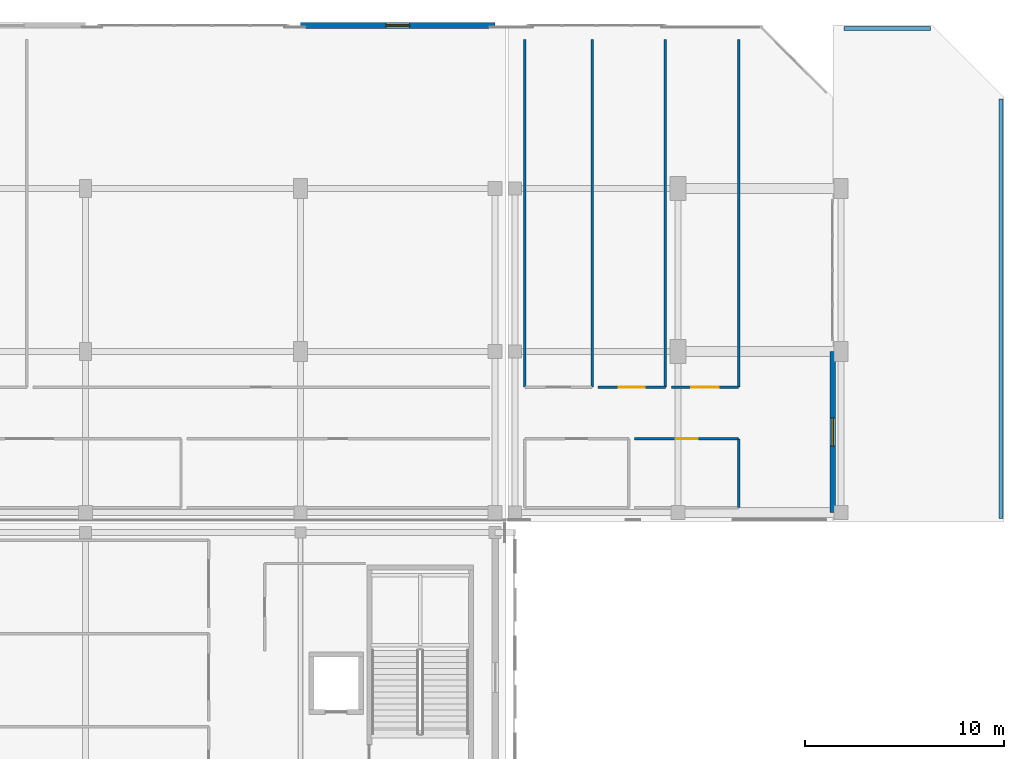
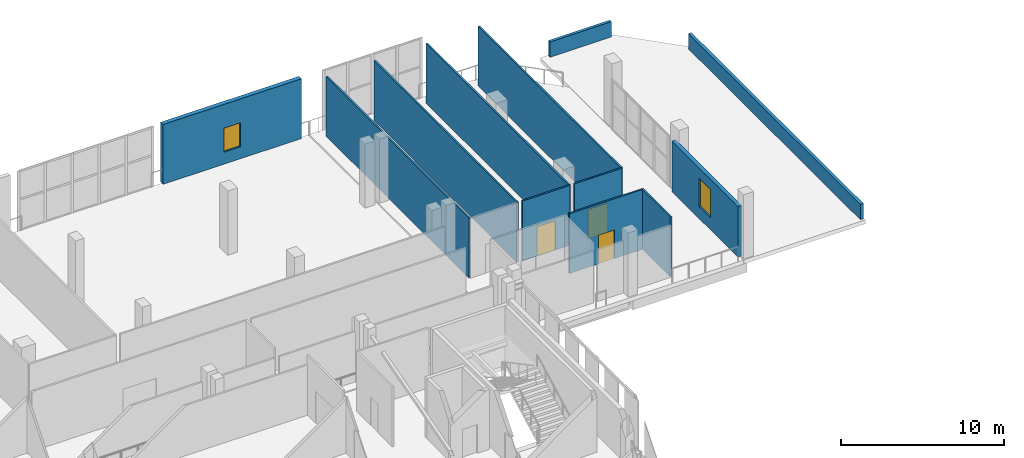
# One storey, part 105 of 142: 12 walls, 3 doors, 2 windows, 5 openings.
"""IFC4 building model written with IfcOpenShell, lengths in metres."""

from ifc_helpers import new_model, si_unit, direction, frame, frame_2d, origin, place, context, subcontext, project, spatial, rectangle, extrude, material, layer, layer_set, type_object, element, fill, save


model = new_model("IFC4")

# Units and contexts
model_context = context("Model", 3, precision=1e-05, world=origin(), true_north=direction((0.0, 1.0)))
body_context = subcontext(model_context, "Body", "Model", "MODEL_VIEW")
ifc_project = project(units=[si_unit("LENGTHUNIT", "METRE"), si_unit("AREAUNIT", "SQUARE_METRE"), si_unit("VOLUMEUNIT", "CUBIC_METRE"), si_unit("PLANEANGLEUNIT", "RADIAN"), si_unit("MASSUNIT", "GRAM", prefix="KILO")], contexts=[model_context])

# Site, building, storey
site_placement = place(None, origin())
site = spatial("IfcSite", under=ifc_project, at=site_placement, CompositionType="ELEMENT")
building_placement = place(site_placement, origin())
building = spatial("IfcBuilding", under=site, at=building_placement, Name="Koshinbarg Plaza Stadium", CompositionType="ELEMENT")
storey_placement = place(building_placement, frame((0.0, 0.0, 10.199951171875)))
storey = spatial("IfcBuildingStorey", under=building, at=storey_placement, Name="L02", CompositionType="ELEMENT", Elevation=10.199951171875)

# Wall, opening, window
ifc_material_1 = material(Name="Terracotta-ochre mineral plaster insulated wall", Category="masonry")
ifc_layer_1 = layer(ifc_material_1, 0.280029296875)
ifc_layer_set_1 = layer_set([ifc_layer_1], Name="Terracotta-ochre mineral plaster insulated wall")
wall_type_1 = type_object("IfcWallType", Name="WL-EXT-280", PredefinedType="SOLIDWALL", material=ifc_layer_set_1)
wall_1_placement = place(storey_placement, frame((235.3798828125, 135.60009765625, 0.0), z_axis=(0.0, 0.0, 1.0), x_axis=(0.0, -1.0, 0.0)))
wall_1 = element("IfcWall", 1, at=wall_1_placement, inside=storey, type_object=wall_type_1, Name="L02 exterior envelope wall EWL-L02-0132", PredefinedType="SOLIDWALL", context=body_context, shape_type="SweptSolid", body=[
    extrude(rectangle(XDim=8.10009765625, YDim=0.280029296875, at=frame_2d((4.050048828125, 0.0))), origin(), (0.0, 0.0, 1.0), 3.780029296875),
])
opening_1_placement = place(wall_1_placement, frame((3.35009765625, 0.0, 0.89990234375)))
opening_1 = element("IfcOpeningElement", 2, at=opening_1_placement, cuts=wall_1, Name="Opening WN13", PredefinedType="OPENING", context=body_context, shape_type="SweptSolid", body=[
    extrude(rectangle(XDim=1.39990234375, YDim=2.10009765625, at=frame_2d((0.699951171875, 1.050048828125))), frame((0.0, 0.14990234375, 0.0), z_axis=(0.0, -1.0, 0.0), x_axis=(1.0, 0.0, 0.0)), (0.0, 0.0, 1.0), 0.300048828125),
])
ifc_material_2 = material(Name="Solar-control double glazing in thermally broken aluminium frame", Category="aluminium")
window_type_1 = type_object("IfcWindowType", Name="WN-FAC-13", PartitioningType="DOUBLE_PANEL_VERTICAL", PredefinedType="WINDOW", material=ifc_material_2)
window_1_placement = place(opening_1_placement, origin())
window_1 = element("IfcWindow", 3, at=window_1_placement, inside=storey, type_object=window_type_1, Name="L02 facade window 0068", OverallHeight=2.10009765625, OverallWidth=1.39990234375, PartitioningType="SINGLE_PANEL", PredefinedType="WINDOW", context=body_context, shape_type="SweptSolid", body=[
    extrude(rectangle(XDim=1.39990234375, YDim=2.10009765625, at=frame_2d((0.699951171875, 1.050048828125))), frame((0.0, 0.030029296875, 0.0), z_axis=(0.0, -1.0, 0.0), x_axis=(1.0, 0.0, 0.0)), (0.0, 0.0, 1.0), 0.06005859375),
])
fill(opening_1, window_1)

ifc_material_3 = material(Name="Off-white mineral plaster insulated wall", Category="masonry")
ifc_layer_2 = layer(ifc_material_3, 0.300048828125)
ifc_layer_set_2 = layer_set([ifc_layer_2], Name="Off-white mineral plaster insulated wall")
wall_type_2 = type_object("IfcWallType", Name="WL-EXT-300", PredefinedType="SOLIDWALL", material=ifc_layer_set_2)
wall_2_placement = place(storey_placement, frame((208.60009765625, 152.0, 0.0), z_axis=(0.0, 0.0, 1.0), x_axis=(1.0, 0.0, 0.0)))
wall_2 = element("IfcWall", 4, at=wall_2_placement, inside=storey, type_object=wall_type_2, Name="L02 exterior envelope wall EWL-L02-0125", PredefinedType="SOLIDWALL", context=body_context, shape_type="SweptSolid", body=[
    extrude(rectangle(XDim=9.7998046875, YDim=0.300048828125, at=frame_2d((4.89990234375, 0.0))), origin(), (0.0, 0.0, 1.0), 4.47998046875),
])
opening_2_placement = place(wall_2_placement, frame((4.300048828125, 0.0, 0.89990234375)))
opening_2 = element("IfcOpeningElement", 5, at=opening_2_placement, cuts=wall_2, Name="Opening WN07", PredefinedType="OPENING", context=body_context, shape_type="SweptSolid", body=[
    extrude(rectangle(XDim=1.199951171875, YDim=1.800048828125, at=frame_2d((0.60009765625, 0.89990234375))), frame((0.0, 0.159912109375, 0.0), z_axis=(0.0, -1.0, 0.0), x_axis=(1.0, 0.0, 0.0)), (0.0, 0.0, 1.0), 0.320068359375),
])
window_type_2 = type_object("IfcWindowType", Name="WN-FAC-07", PartitioningType="DOUBLE_PANEL_VERTICAL", PredefinedType="WINDOW", material=ifc_material_2)
window_2_placement = place(opening_2_placement, origin())
window_2 = element("IfcWindow", 6, at=window_2_placement, inside=storey, type_object=window_type_2, Name="L02 facade window 0062", OverallHeight=1.800048828125, OverallWidth=1.199951171875, PartitioningType="SINGLE_PANEL", PredefinedType="WINDOW", context=body_context, shape_type="SweptSolid", body=[
    extrude(rectangle(XDim=1.199951171875, YDim=1.800048828125, at=frame_2d((0.60009765625, 0.89990234375))), frame((0.0, 0.030029296875, 0.0), z_axis=(0.0, -1.0, 0.0), x_axis=(1.0, 0.0, 0.0)), (0.0, 0.0, 1.0), 0.06005859375),
])
fill(opening_2, window_2)

# Walls
ifc_material_4 = material(Name="Precast concrete C40/50", Category="concrete")
ifc_layer_3 = layer(ifc_material_4, 0.199951171875)
ifc_layer_set_3 = layer_set([ifc_layer_3], Name="Precast concrete C40/50")
wall_type_3 = type_object("IfcWallType", Name="WL-PAR-200", PredefinedType="PARAPET", material=ifc_layer_set_3)
wall_3_placement = place(storey_placement, frame((235.949951171875, 151.85009765625, 0.0), z_axis=(0.0, 0.0, 1.0), x_axis=(1.0, 0.0, 0.0)))
element("IfcWall", 7, at=wall_3_placement, inside=storey, type_object=wall_type_3, Name="L02 stepped pavilion roof parapet 036", PredefinedType="PARAPET", context=body_context, shape_type="SweptSolid", body=[
    extrude(rectangle(XDim=4.35009765625, YDim=0.199951171875, at=frame_2d((2.175048828125, 0.0))), origin(), (0.0, 0.0, 1.0), 1.150146484375),
])
ifc_layer_4 = layer(ifc_material_4, 0.219970703125)
ifc_layer_set_4 = layer_set([ifc_layer_4], Name="Precast concrete C40/50")
wall_type_4 = type_object("IfcWallType", Name="WL-PAR-220", PredefinedType="PARAPET", material=ifc_layer_set_4)
wall_4_placement = place(storey_placement, frame((243.85009765625, 148.300048828125, 0.0), z_axis=(0.0, 0.0, 1.0), x_axis=(0.0, -1.0, 0.0)))
element("IfcWall", 8, at=wall_4_placement, inside=storey, type_object=wall_type_4, Name="L02 stepped pavilion roof parapet 037", PredefinedType="PARAPET", context=body_context, shape_type="SweptSolid", body=[
    extrude(rectangle(XDim=21.10009765625, YDim=0.219970703125, at=frame_2d((10.550048828125, 0.0))), origin(), (0.0, 0.0, 1.0), 1.150146484375),
])
ifc_material_5 = material(Name="Gypsum board metal-stud acoustic partition")
ifc_layer_5 = layer(ifc_material_5, 0.1201171875)
ifc_layer_set_5 = layer_set([ifc_layer_5], Name="Gypsum board metal-stud acoustic partition")
wall_type_5 = type_object("IfcWallType", Name="WL-PART-120", PredefinedType="PARTITIONING", material=ifc_layer_set_5)
wall_5_placement = place(storey_placement, frame((230.64990234375, 127.7451171875, 0.0), z_axis=(0.0, 0.0, 1.0), x_axis=(0.0, 1.0, 0.0)))
element("IfcWall", 9, at=wall_5_placement, inside=storey, type_object=wall_type_5, Name="L02 interior partition L02-123-east IWL-L02-1800", PredefinedType="PARTITIONING", context=body_context, shape_type="SweptSolid", body=[
    extrude(rectangle(XDim=3.454833984375, YDim=0.1201171875, at=frame_2d((1.7275390625, 0.0))), origin(), (0.0, 0.0, 1.0), 4.47998046875),
])

# Wall, opening, door
wall_6_placement = place(storey_placement, frame((230.64990234375, 131.199951171875, 0.0), z_axis=(0.0, 0.0, 1.0), x_axis=(-1.0, 0.0, 0.0)))
wall_6 = element("IfcWall", 10, at=wall_6_placement, inside=storey, type_object=wall_type_5, Name="L02 interior partition L02-123-north IWL-L02-1801", PredefinedType="PARTITIONING", context=body_context, shape_type="SweptSolid", body=[
    extrude(rectangle(XDim=5.227294921875, YDim=0.1201171875, at=frame_2d((2.61376953125, 0.0))), origin(), (0.0, 0.0, 1.0), 4.47998046875),
])
opening_3_placement = place(wall_6_placement, frame((2.0537109375, 0.0, 0.0)))
opening_3 = element("IfcOpeningElement", 11, at=opening_3_placement, cuts=wall_6, Name="Opening D-0610", PredefinedType="OPENING", context=body_context, shape_type="SweptSolid", body=[
    extrude(rectangle(XDim=1.1201171875, YDim=2.14990234375, at=frame_2d((0.56005859375, 1.074951171875))), frame((0.0, 0.070068359375, 0.0), z_axis=(0.0, -1.0, 0.0), x_axis=(1.0, 0.0, 0.0)), (0.0, 0.0, 1.0), 0.14013671875),
])
ifc_material_6 = material(Name="Acoustic timber broadcast studio door", Category="wood")
door_type_1 = type_object("IfcDoorType", Name="DR-INT-1120x2150", OperationType="NOTDEFINED", PredefinedType="DOOR", material=ifc_material_6)
door_1_placement = place(opening_3_placement, origin())
door_1 = element("IfcDoor", 12, at=door_1_placement, inside=storey, type_object=door_type_1, Name="L02 North Club Lounge door D-0610", OperationType="SINGLE_SWING_RIGHT", OverallHeight=2.14990234375, OverallWidth=1.1201171875, PredefinedType="DOOR", context=body_context, shape_type="SweptSolid", body=[
    extrude(rectangle(XDim=1.1201171875, YDim=2.14990234375, at=frame_2d((0.56005859375, 1.074951171875))), frame((0.0, 0.02490234375, 0.0), z_axis=(0.0, -1.0, 0.0), x_axis=(1.0, 0.0, 0.0)), (0.0, 0.0, 1.0), 0.050048828125),
])
fill(opening_3, door_1)

# Walls
for number, where, z_axis, x_axis, name in (
    (13, (223.280029296875, 133.800048828125, 0.0), (0.0, 0.0, 1.0), (0.0, 1.0, 0.0), "L02 interior partition L02-124-east IWL-L02-1803"),
    (14, (219.89501953125, 151.300048828125, 0.0), (0.0, 0.0, 1.0), (0.0, -1.0, 0.0), "L02 interior partition L02-124-west IWL-L02-1804"),
):
    element("IfcWall", number, at=place(storey_placement, frame(where, z_axis=z_axis, x_axis=x_axis)), inside=storey, type_object=wall_type_5, Name=name, PredefinedType="PARTITIONING", context=body_context, shape_type="SweptSolid", body=[
        extrude(rectangle(XDim=17.5, YDim=0.1201171875, at=frame_2d((8.75, 0.0))), origin(), (0.0, 0.0, 1.0), 4.47998046875),
    ])

# Wall, opening, door
wall_7_placement = place(storey_placement, frame((223.580078125, 133.800048828125, 0.0), z_axis=(0.0, 0.0, 1.0), x_axis=(1.0, 0.0, 0.0)))
wall_7 = element("IfcWall", 15, at=wall_7_placement, inside=storey, type_object=wall_type_5, Name="L02 interior partition L02-125-south IWL-L02-1805", PredefinedType="PARTITIONING", context=body_context, shape_type="SweptSolid", body=[
    extrude(rectangle(XDim=3.385009765625, YDim=0.1201171875, at=frame_2d((1.6923828125, 0.0))), origin(), (0.0, 0.0, 1.0), 4.47998046875),
])
opening_4_placement = place(wall_7_placement, frame((1.04248046875, 0.0, 0.0)))
opening_4 = element("IfcOpeningElement", 16, at=opening_4_placement, cuts=wall_7, Name="Opening D-0612", PredefinedType="OPENING", context=body_context, shape_type="SweptSolid", body=[
    extrude(rectangle(XDim=1.300048828125, YDim=2.199951171875, at=frame_2d((0.64990234375, 1.10009765625))), frame((0.0, 0.070068359375, 0.0), z_axis=(0.0, -1.0, 0.0), x_axis=(1.0, 0.0, 0.0)), (0.0, 0.0, 1.0), 0.14013671875),
])
ifc_material_7 = material(Name="Thermally broken anodised aluminium glazed door", Category="aluminium")
door_type_2 = type_object("IfcDoorType", Name="DR-INT-1300x2200", OperationType="NOTDEFINED", PredefinedType="DOOR", material=ifc_material_7)
door_2_placement = place(opening_4_placement, origin())
door_2 = element("IfcDoor", 17, at=door_2_placement, inside=storey, type_object=door_type_2, Name="L02 Museum Cafe Dining Hall door D-0612", OperationType="SINGLE_SWING_RIGHT", OverallHeight=2.199951171875, OverallWidth=1.300048828125, PredefinedType="DOOR", context=body_context, shape_type="SweptSolid", body=[
    extrude(rectangle(XDim=1.300048828125, YDim=2.199951171875, at=frame_2d((0.64990234375, 1.10009765625))), frame((0.0, 0.02490234375, 0.0), z_axis=(0.0, -1.0, 0.0), x_axis=(1.0, 0.0, 0.0)), (0.0, 0.0, 1.0), 0.050048828125),
])
fill(opening_4, door_2)

# Wall
wall_8_placement = place(storey_placement, frame((226.965087890625, 133.800048828125, 0.0), z_axis=(0.0, 0.0, 1.0), x_axis=(0.0, 1.0, 0.0)))
element("IfcWall", 18, at=wall_8_placement, inside=storey, type_object=wall_type_5, Name="L02 interior partition L02-125-east IWL-L02-1806", PredefinedType="PARTITIONING", context=body_context, shape_type="SweptSolid", body=[
    extrude(rectangle(XDim=17.5, YDim=0.1201171875, at=frame_2d((8.75, 0.0))), origin(), (0.0, 0.0, 1.0), 4.47998046875),
])

# Wall, opening, door
wall_9_placement = place(storey_placement, frame((227.264892578125, 133.800048828125, 0.0), z_axis=(0.0, 0.0, 1.0), x_axis=(1.0, 0.0, 0.0)))
wall_9 = element("IfcWall", 19, at=wall_9_placement, inside=storey, type_object=wall_type_5, Name="L02 interior partition L02-126-south IWL-L02-1807", PredefinedType="PARTITIONING", context=body_context, shape_type="SweptSolid", body=[
    extrude(rectangle(XDim=3.385009765625, YDim=0.1201171875, at=frame_2d((1.6923828125, 0.0))), origin(), (0.0, 0.0, 1.0), 4.47998046875),
])
opening_5_placement = place(wall_9_placement, frame((0.992431640625, 0.0, 0.0)))
opening_5 = element("IfcOpeningElement", 20, at=opening_5_placement, cuts=wall_9, Name="Opening D-0613", PredefinedType="OPENING", context=body_context, shape_type="SweptSolid", body=[
    extrude(rectangle(XDim=1.39990234375, YDim=2.199951171875, at=frame_2d((0.699951171875, 1.10009765625))), frame((0.0, 0.070068359375, 0.0), z_axis=(0.0, -1.0, 0.0), x_axis=(1.0, 0.0, 0.0)), (0.0, 0.0, 1.0), 0.14013671875),
])
ifc_material_8 = material(Name="Stainless-clad solid-core timber double fire door", Category="wood")
door_type_3 = type_object("IfcDoorType", Name="DR-INT-1400x2200", OperationType="NOTDEFINED", PredefinedType="DOOR", material=ifc_material_8)
door_3_placement = place(opening_5_placement, origin())
door_3 = element("IfcDoor", 21, at=door_3_placement, inside=storey, type_object=door_type_3, Name="L02 Olympic Medal Salon door D-0613", OperationType="DOUBLE_DOOR_SINGLE_SWING", OverallHeight=2.199951171875, OverallWidth=1.39990234375, PredefinedType="DOOR", context=body_context, shape_type="SweptSolid", body=[
    extrude(rectangle(XDim=1.39990234375, YDim=2.199951171875, at=frame_2d((0.699951171875, 1.10009765625))), frame((0.0, 0.02490234375, 0.0), z_axis=(0.0, -1.0, 0.0), x_axis=(1.0, 0.0, 0.0)), (0.0, 0.0, 1.0), 0.050048828125),
])
fill(opening_5, door_3)

# Wall
wall_10_placement = place(storey_placement, frame((230.64990234375, 133.800048828125, 0.0), z_axis=(0.0, 0.0, 1.0), x_axis=(0.0, 1.0, 0.0)))
element("IfcWall", 22, at=wall_10_placement, inside=storey, type_object=wall_type_5, Name="L02 interior partition L02-126-east IWL-L02-1808", PredefinedType="PARTITIONING", context=body_context, shape_type="SweptSolid", body=[
    extrude(rectangle(XDim=17.5, YDim=0.1201171875, at=frame_2d((8.75, 0.0))), origin(), (0.0, 0.0, 1.0), 4.47998046875),
])

save(model, "model.ifc")
